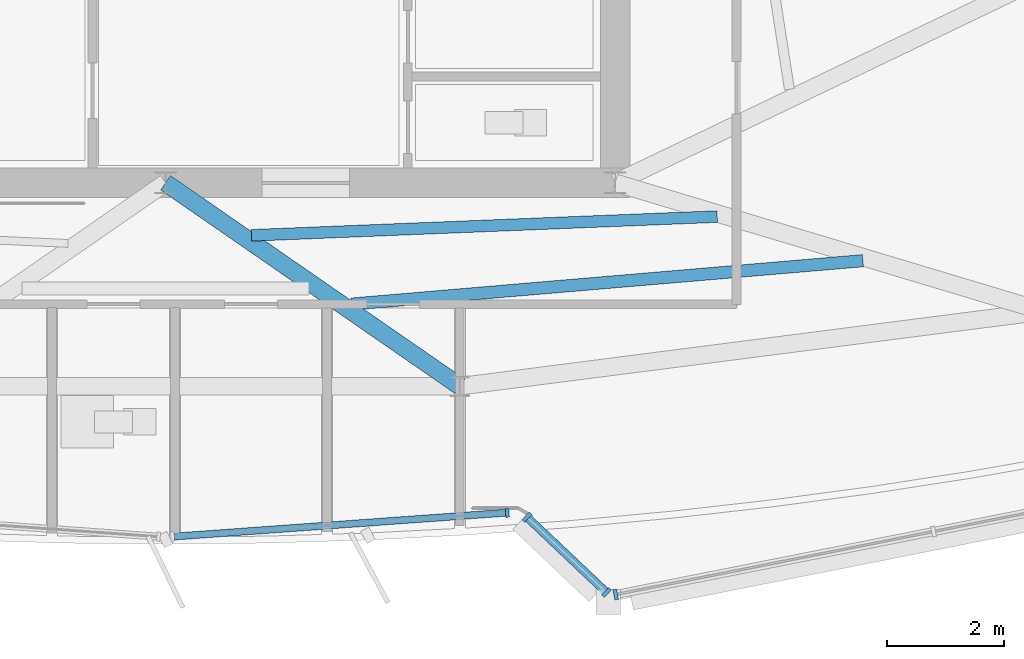
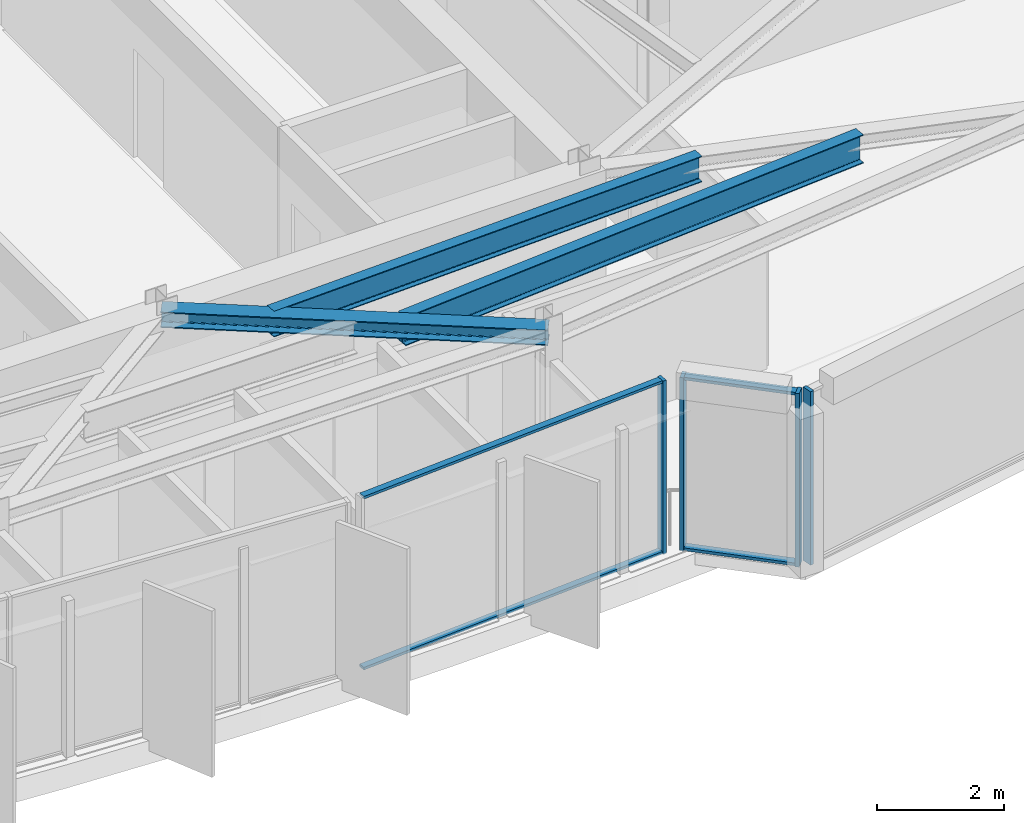
# One storey, part 4 of 14: 8 members, 3 beams, 3 elements without a shape of their own.
"""IFC4 building model written with IfcOpenShell, lengths in metres."""

import ifcopenshell
import ifcopenshell.guid

model = None  # the IFC model being written
_history = None  # IfcOwnerHistory: only IFC2X3 demands one
_inside = {}  # id of a spatial element -> (the spatial element, [elements in it])
_under = {}  # id of a project, library or spatial element -> (it, [spatial elements below it])
_declared = {}  # id of a project -> (the project, [libraries it declares])
_typed = {}  # id of a type object -> (the type object, [elements of that type])
_made_of = {}  # id of a material, layer set ... -> (it, [elements and type objects made of it])


def new_model(schema):
    """Start an empty IFC model of exactly this schema.

    Asked for "IFC4X3", IfcOpenShell would pick the latest addendum, in which some entities
    have other attributes; the version numbers below select the first issue.
    IFC2X3 requires an IfcOwnerHistory on every rooted entity: one is made here for all.
    """
    global model, _history
    if schema == "IFC4X3":
        model = ifcopenshell.file(schema_version=(4, 3, 0, 0))
    else:
        model = ifcopenshell.file(schema=schema)
    _inside.clear()
    _under.clear()
    _declared.clear()
    _typed.clear()
    _made_of.clear()
    _history = None
    if model.schema == "IFC2X3":
        org = make("IfcOrganization", Name="unknown")
        user = make(
            "IfcPersonAndOrganization",
            ThePerson=make("IfcPerson", FamilyName="unknown"),
            TheOrganization=org,
        )
        app = make(
            "IfcApplication",
            ApplicationDeveloper=org,
            Version="unknown",
            ApplicationFullName="unknown",
            ApplicationIdentifier="unknown",
        )
        _history = make(
            "IfcOwnerHistory",
            OwningUser=user,
            OwningApplication=app,
            ChangeAction="ADDED",
            CreationDate=0,
        )
    return model


def make(cls, **values):
    """One entity of the class cls with the attributes given. An attribute that is None is left unset."""
    return model.create_entity(
        cls, **{name: value for name, value in values.items() if value is not None}
    )


def rooted(cls, **values):
    """An entity with a GlobalId (a new one), such as an element, a storey or a relation."""
    return make(cls, GlobalId=ifcopenshell.guid.new(), OwnerHistory=_history, **values)


def si_unit(unit_type, name, prefix=None):
    """IfcSIUnit, for example si_unit("LENGTHUNIT", "METRE", prefix="MILLI")."""
    return make("IfcSIUnit", UnitType=unit_type, Prefix=prefix, Name=name)


def assignment(units):
    """IfcUnitAssignment: the units of a project."""
    return None if units is None else make("IfcUnitAssignment", Units=units)


def point(xyz):
    """IfcCartesianPoint."""
    return None if xyz is None else make("IfcCartesianPoint", Coordinates=xyz)


def direction(xyz):
    """IfcDirection."""
    return None if xyz is None else make("IfcDirection", DirectionRatios=xyz)


def frame(location, z_axis=None, x_axis=None):
    """IfcAxis2Placement3D, a coordinate frame: its origin and axes. An axis left out is left unset."""
    return make(
        "IfcAxis2Placement3D",
        Location=point(location),
        Axis=direction(z_axis),
        RefDirection=direction(x_axis),
    )


def frame_2d(location, x_axis=None):
    """IfcAxis2Placement2D, a coordinate frame in the plane: its origin and x axis."""
    return make(
        "IfcAxis2Placement2D", Location=point(location), RefDirection=direction(x_axis)
    )


def origin():
    """The frame at (0, 0, 0) with its axes left unset."""
    return frame((0.0, 0.0, 0.0))


def origin_2d():
    """The frame at (0, 0) in the plane with its x axis left unset."""
    return frame_2d((0.0, 0.0))


def place(relative_to, where):
    """IfcLocalPlacement: puts the frame where relative to a parent placement (None: the world)."""
    return make(
        "IfcLocalPlacement", PlacementRelTo=relative_to, RelativePlacement=where
    )


def context(
    kind, dimensions, precision=None, world=None, true_north=None, identifier=None
):
    """IfcGeometricRepresentationContext, for example the 3D "Model" context."""
    return make(
        "IfcGeometricRepresentationContext",
        ContextIdentifier=identifier,
        ContextType=kind,
        CoordinateSpaceDimension=dimensions,
        Precision=precision,
        WorldCoordinateSystem=world,
        TrueNorth=true_north,
    )


def subcontext(parent, identifier, kind, view, scale=None):
    """IfcGeometricRepresentationSubContext, for example "Body" below "Model"."""
    return make(
        "IfcGeometricRepresentationSubContext",
        ContextIdentifier=identifier,
        ContextType=kind,
        ParentContext=parent,
        TargetScale=scale,
        TargetView=view,
    )


def project(units=None, contexts=None):
    """IfcProject with its units and contexts."""
    return rooted(
        "IfcProject",
        Name="project",
        RepresentationContexts=contexts,
        UnitsInContext=assignment(units),
    )


def spatial(cls, under=None, at=None, **own):
    """A site, building, storey or space (cls), placed at a placement, below another one or the project."""
    s = rooted(cls, ObjectPlacement=at, **own)
    if under is not None:
        _under.setdefault(under.id(), (under, []))[1].append(s)
    return s


def profile(cls, at=None, kind="AREA", **sizes):
    """A parametric profile (cls). Its sizes go by their IFC names, for example OverallWidth=200.0."""
    return make(cls, ProfileType=kind, Position=at, **sizes)


def rectangle(**sizes):
    """IfcRectangleProfileDef."""
    return profile("IfcRectangleProfileDef", **sizes)


def i_section(**sizes):
    """IfcIShapeProfileDef."""
    return profile("IfcIShapeProfileDef", **sizes)


def extrude(swept, where, along, depth):
    """IfcExtrudedAreaSolid: the profile swept, set in the frame where, extruded along a direction by depth."""
    return make(
        "IfcExtrudedAreaSolid",
        SweptArea=swept,
        Position=where,
        ExtrudedDirection=direction(along),
        Depth=depth,
    )


def shape(context_of_items, identifier, shape_type, items):
    """IfcShapeRepresentation: the items that make up one representation, for example the "Body"."""
    return make(
        "IfcShapeRepresentation",
        ContextOfItems=context_of_items,
        RepresentationIdentifier=identifier,
        RepresentationType=shape_type,
        Items=items,
    )


def material(Name=None, Category=None):
    """IfcMaterial."""
    return make("IfcMaterial", Name=Name, Category=Category)


def material_profile(
    of_material, cross_section, Name=None, Category=None, Priority=None
):
    """IfcMaterialProfile: a cross section and its material."""
    return make(
        "IfcMaterialProfile",
        Name=Name,
        Material=of_material,
        Profile=cross_section,
        Priority=Priority,
        Category=Category,
    )


def profile_set(profiles, Name=None, composite=None):
    """IfcMaterialProfileSet."""
    return make(
        "IfcMaterialProfileSet",
        Name=Name,
        MaterialProfiles=profiles,
        CompositeProfile=composite,
    )


def made_of(thing, what):
    """Note that an element or type object is made of a material, layer set ...; save() writes the relation."""
    if what is not None:
        _made_of.setdefault(what.id(), (what, []))[1].append(thing)
    return thing


def type_object(cls, material=None, **own):
    """A type object (cls), such as IfcWallType, which elements share."""
    return made_of(rooted(cls, **own), material)


def element(
    cls,
    number,
    at=None,
    inside=None,
    cuts=None,
    type_object=None,
    material=None,
    context=None,
    identifier="Body",
    shape_type=None,
    held_by="IfcProductDefinitionShape",
    body=None,
    shapes=None,
    **own,
):
    """One element of the class cls, such as IfcWall. Its Tag is "e" and its number.

    at: its placement. inside: the storey or other place that contains it. cuts: it is an
    opening in that element (IfcRelVoidsElement). A single representation is given by context,
    identifier, shape_type and body (its items); several are given by shapes. held_by: the class
    of the entity that holds the representations. save() writes the other relations.
    """
    e = rooted(cls, Tag="e%d" % number, ObjectPlacement=at, **own)
    if body is not None:
        shapes = [shape(context, identifier, shape_type, body)]
    if shapes is not None:
        e.Representation = make(held_by, Representations=shapes)
    if inside is not None:
        _inside.setdefault(inside.id(), (inside, []))[1].append(e)
    if cuts is not None:
        rooted(
            "IfcRelVoidsElement", RelatingBuildingElement=cuts, RelatedOpeningElement=e
        )
    if type_object is not None:
        _typed.setdefault(type_object.id(), (type_object, []))[1].append(e)
    return made_of(e, material)


def aggregate(whole, parts):
    """IfcRelAggregates: a whole, such as a stair, and the parts it consists of."""
    return rooted("IfcRelAggregates", RelatingObject=whole, RelatedObjects=parts)


def save(model, path):
    """Write the relations noted so far, then the file.

    IfcRelAggregates (storeys below a building ...), IfcRelContainedInSpatialStructure (elements
    in a storey), IfcRelDefinesByType, IfcRelAssociatesMaterial and IfcRelDeclares: one each for
    every whole, place, type object, material and project.
    """
    for whole, parts in _under.values():
        aggregate(whole, parts)
    for where, things in _inside.values():
        rooted(
            "IfcRelContainedInSpatialStructure",
            RelatedElements=things,
            RelatingStructure=where,
        )
    for kind, things in _typed.values():
        rooted("IfcRelDefinesByType", RelatedObjects=things, RelatingType=kind)
    for what, things in _made_of.values():
        rooted("IfcRelAssociatesMaterial", RelatedObjects=things, RelatingMaterial=what)
    for by, libraries in _declared.values():
        rooted("IfcRelDeclares", RelatingContext=by, RelatedDefinitions=libraries)
    model.write(path)


model = new_model("IFC4")

# Units and contexts
model_context = context("Model", 3, precision=1e-05, world=origin(), true_north=direction((0.0, 1.0)))
body_context = subcontext(model_context, "Body", "Model", "MODEL_VIEW")
ifc_project = project(units=[si_unit("LENGTHUNIT", "METRE"), si_unit("AREAUNIT", "SQUARE_METRE"), si_unit("VOLUMEUNIT", "CUBIC_METRE"), si_unit("PLANEANGLEUNIT", "RADIAN"), si_unit("MASSUNIT", "GRAM", prefix="KILO")], contexts=[model_context])

# Site, building, storey
site_placement = place(None, origin())
site = spatial("IfcSite", under=ifc_project, at=site_placement, CompositionType="ELEMENT")
building_placement = place(site_placement, origin())
building = spatial("IfcBuilding", under=site, at=building_placement, Name="Savorim Split Tower", CompositionType="ELEMENT")
storey_placement = place(building_placement, frame((0.0, 0.0, 294.0)))
storey = spatial("IfcBuildingStorey", under=building, at=storey_placement, Name="L78", CompositionType="ELEMENT", Elevation=294.0)

# Beams
ifc_material_1 = material(Name="Steel S355", Category="steel")
ifc_material_profile_1 = material_profile(ifc_material_1, i_section(OverallWidth=0.199951171875, OverallDepth=0.5, WebThickness=0.01025390625, FlangeThickness=0.01611328125, FilletRadius=0.02099609375, at=origin_2d()), Name="IPE 500")
ifc_profile_set_1 = profile_set([ifc_material_profile_1], Name="Steel S355")
beam_type_1 = type_object("IfcBeamType", Name="BM-JST-IPE500", PredefinedType="JOIST", material=ifc_profile_set_1)
beam_1_placement = place(storey_placement, frame((1.47021484375, -10.2998046875, 3.090087890625), z_axis=(0.999191208449, 0.040211055181, 0.0), x_axis=(-0.040211055181, 0.999191208449, 0.0)))
element("IfcBeam", 1, at=beam_1_placement, inside=storey, type_object=beam_type_1, Name="L78 Secondary Floor Joist JS-05", PredefinedType="JOIST", context=body_context, shape_type="SweptSolid", body=[
    extrude(i_section(OverallWidth=0.199951171875, OverallDepth=0.5, WebThickness=0.01025390625, FlangeThickness=0.01611328125, FilletRadius=0.02099609375, at=origin_2d()), origin(), (0.0, 0.0, 1.0), 7.98388671875),
])
ifc_material_profile_2 = material_profile(ifc_material_1, i_section(OverallWidth=0.2099609375, OverallDepth=0.550048828125, WebThickness=0.010986328125, FlangeThickness=0.01708984375, FilletRadius=0.02392578125, at=origin_2d()), Name="IPE 550")
ifc_profile_set_2 = profile_set([ifc_material_profile_2], Name="Steel S355")
beam_type_2 = type_object("IfcBeamType", Name="BM-JST-IPE550", PredefinedType="JOIST", material=ifc_profile_set_2)
beam_2_placement = place(storey_placement, frame((3.18310546875, -11.4775390625, 3.06494140625), z_axis=(0.996420538137, 0.084534674417, 0.0), x_axis=(-0.084534674417, 0.996420538137, 0.0)))
element("IfcBeam", 2, at=beam_2_placement, inside=storey, type_object=beam_type_2, Name="L78 Secondary Floor Joist JS-04", PredefinedType="JOIST", context=body_context, shape_type="SweptSolid", body=[
    extrude(i_section(OverallWidth=0.2099609375, OverallDepth=0.550048828125, WebThickness=0.010986328125, FlangeThickness=0.01708984375, FilletRadius=0.02392578125, at=origin_2d()), origin(), (0.0, 0.0, 1.0), 8.791259765625),
])
ifc_material_profile_3 = material_profile(ifc_material_1, i_section(OverallWidth=0.300048828125, OverallDepth=0.300048828125, WebThickness=0.010986328125, FlangeThickness=0.01904296875, FilletRadius=0.027099609375, at=origin_2d()), Name="HEB 300")
ifc_profile_set_3 = profile_set([ifc_material_profile_3], Name="Steel S355")
beam_type_3 = type_object("IfcBeamType", Name="BM-PRI-HEB300", PredefinedType="BEAM", material=ifc_profile_set_3)
beam_3_placement = place(storey_placement, frame((5.039794921875, -12.885009765625, 3.18994140625), z_axis=(-0.82249616242, 0.568770659233, 0.0), x_axis=(-0.568770659233, -0.82249616242, 0.0)))
element("IfcBeam", 3, at=beam_3_placement, inside=storey, type_object=beam_type_3, Name="L78 Primary Floor Girder RG-03", PredefinedType="BEAM", context=body_context, shape_type="SweptSolid", body=[
    extrude(i_section(OverallWidth=0.300048828125, OverallDepth=0.300048828125, WebThickness=0.010986328125, FlangeThickness=0.01904296875, FilletRadius=0.027099609375, at=origin_2d()), origin(), (0.0, 0.0, 1.0), 6.12744140625),
])

# Curtain wall, member
ifc_material_2 = material(Name="Dark Ceramic-Fritted Insulated Glass", Category="glass")
curtain_wall_type_1 = type_object("IfcCurtainWallType", Name="CW-TWR-FRIT-B", PredefinedType="NOTDEFINED", material=ifc_material_2)
curtain_wall_1_placement = place(storey_placement, origin())
curtain_wall_1 = element("IfcCurtainWall", 4, at=curtain_wall_1_placement, inside=storey, type_object=curtain_wall_type_1, Name="L78 Curtain Wall CW-L78-SF3A", PredefinedType="NOTDEFINED")
ifc_material_3 = material(Name="Charcoal Anodised Aluminium", Category="aluminium")
ifc_material_profile_4 = material_profile(ifc_material_3, rectangle(XDim=0.159912109375, YDim=0.06005859375, at=origin_2d()), Name="ALU-M 160x60")
ifc_profile_set_4 = profile_set([ifc_material_profile_4], Name="Charcoal Anodised Aluminium")
member_type_1 = type_object("IfcMemberType", Name="CWM-160x60", PredefinedType="MULLION", material=ifc_profile_set_4)
member_1_placement = place(storey_placement, frame((5.8525390625, -15.048828125, 0.0), z_axis=(0.0, 0.0, 1.0), x_axis=(-0.071561606808, 0.997436181633, 0.0)))
member_1 = element("IfcMember", 5, at=member_1_placement, type_object=member_type_1, Name="CW-03 mullion 2", PredefinedType="MULLION", context=body_context, shape_type="SweptSolid", body=[
    extrude(rectangle(XDim=0.159912109375, YDim=0.06005859375, at=origin_2d()), origin(), (0.0, 0.0, 1.0), 3.340087890625),
])

curtain_wall_type_2 = type_object("IfcCurtainWallType", Name="CW-BAY-LOUNGE", PredefinedType="NOTDEFINED", material=ifc_material_2)
curtain_wall_2_placement = place(storey_placement, origin())
curtain_wall_2 = element("IfcCurtainWall", 6, at=curtain_wall_2_placement, inside=storey, type_object=curtain_wall_type_2, Name="L78 Curtain Wall CW-L78-BAYF", PredefinedType="NOTDEFINED")
ifc_material_profile_5 = material_profile(ifc_material_3, rectangle(XDim=0.179931640625, YDim=0.06494140625, at=origin_2d()), Name="ALU-M 180x65")
ifc_profile_set_5 = profile_set([ifc_material_profile_5], Name="Charcoal Anodised Aluminium")
member_type_2 = type_object("IfcMemberType", Name="CWM-180x65", PredefinedType="MULLION", material=ifc_profile_set_5)
member_2_placement = place(storey_placement, frame((7.708740234375, -16.45166015625, 0.0), z_axis=(0.0, 0.0, 1.0), x_axis=(-0.194484421737, 0.980905606927, 0.0)))
member_2 = element("IfcMember", 7, at=member_2_placement, type_object=member_type_2, Name="CW-04 mullion 1", PredefinedType="MULLION", context=body_context, shape_type="SweptSolid", body=[
    extrude(rectangle(XDim=0.179931640625, YDim=0.06494140625, at=origin_2d()), origin(), (0.0, 0.0, 1.0), 3.340087890625),
])
aggregate(curtain_wall_2, [member_2])

# Curtain wall, members
curtain_wall_3_placement = place(storey_placement, origin())
curtain_wall_3 = element("IfcCurtainWall", 8, at=curtain_wall_3_placement, inside=storey, type_object=curtain_wall_type_2, Name="L78 Curtain Wall CW-L78-BAYW", PredefinedType="NOTDEFINED")
member_3_placement = place(storey_placement, frame((6.190185546875, -15.126220703125, 0.0), z_axis=(0.0, 0.0, 1.0), x_axis=(0.687750367057, 0.725947265725, 0.0)))
member_3 = element("IfcMember", 9, at=member_3_placement, type_object=member_type_2, Name="CW-04 mullion 1", PredefinedType="MULLION", context=body_context, shape_type="SweptSolid", body=[
    extrude(rectangle(XDim=0.179931640625, YDim=0.06494140625, at=origin_2d()), origin(), (0.0, 0.0, 1.0), 3.340087890625),
])
member_4_placement = place(storey_placement, frame((7.55126953125, -16.415771484375, 0.0), z_axis=(0.0, 0.0, 1.0), x_axis=(0.687750367057, 0.725947265725, 0.0)))
member_4 = element("IfcMember", 10, at=member_4_placement, type_object=member_type_2, Name="CW-04 mullion 2", PredefinedType="MULLION", context=body_context, shape_type="SweptSolid", body=[
    extrude(rectangle(XDim=0.179931640625, YDim=0.06494140625, at=origin_2d()), origin(), (0.0, 0.0, 1.0), 3.340087890625),
])

# Member
ifc_material_profile_6 = material_profile(ifc_material_3, rectangle(XDim=0.1201171875, YDim=0.050048828125, at=origin_2d()), Name="ALU-T 120x50")
ifc_profile_set_6 = profile_set([ifc_material_profile_6], Name="Charcoal Anodised Aluminium")
member_type_3 = type_object("IfcMemberType", Name="CWT-120x50", PredefinedType="USERDEFINED", material=ifc_profile_set_6)
member_5_placement = place(storey_placement, frame((0.151123046875, -15.4580078125, 0.02490234375), z_axis=(0.997435326085, 0.071573530566, 0.0), x_axis=(-0.071573530566, 0.997435326085, 0.0)))
member_5 = element("IfcMember", 11, at=member_5_placement, type_object=member_type_3, Name="CW-03 transom 1.1", ObjectType="TRANSOM", PredefinedType="USERDEFINED", context=body_context, shape_type="SweptSolid", body=[
    extrude(rectangle(XDim=0.1201171875, YDim=0.050048828125, at=origin_2d()), origin(), (0.0, 0.0, 1.0), 5.686279296875),
])

member_6_placement = place(storey_placement, frame((0.151123046875, -15.4580078125, 3.31494140625), z_axis=(0.997435326085, 0.071573530566, 0.0), x_axis=(-0.071573530566, 0.997435326085, 0.0)))
member_6 = element("IfcMember", 12, at=member_6_placement, type_object=member_type_3, Name="CW-03 transom 1.2", ObjectType="TRANSOM", PredefinedType="USERDEFINED", context=body_context, shape_type="SweptSolid", body=[
    extrude(rectangle(XDim=0.1201171875, YDim=0.050048828125, at=origin_2d()), origin(), (0.0, 0.0, 1.0), 5.686279296875),
])

aggregate(curtain_wall_1, [member_1, member_5, member_6])

ifc_material_profile_7 = material_profile(ifc_material_3, rectangle(XDim=0.139892578125, YDim=0.054931640625, at=origin_2d()), Name="ALU-T 140x55")
ifc_profile_set_7 = profile_set([ifc_material_profile_7], Name="Charcoal Anodised Aluminium")
member_type_4 = type_object("IfcMemberType", Name="CWT-140x55", PredefinedType="USERDEFINED", material=ifc_profile_set_7)
member_7_placement = place(storey_placement, frame((6.213623046875, -15.148681640625, 0.027587890625), z_axis=(0.726002307445, -0.687692263723, 0.0), x_axis=(0.687692263723, 0.726002307445, 0.0)))
member_7 = element("IfcMember", 13, at=member_7_placement, type_object=member_type_4, Name="CW-04 transom 1.1", ObjectType="TRANSOM", PredefinedType="USERDEFINED", context=body_context, shape_type="SweptSolid", body=[
    extrude(rectangle(XDim=0.139892578125, YDim=0.054931640625, at=origin_2d()), origin(), (0.0, 0.0, 1.0), 1.809814453125),
])

member_8_placement = place(storey_placement, frame((6.213623046875, -15.148681640625, 3.3125), z_axis=(0.726002307445, -0.687692263723, 0.0), x_axis=(0.687692263723, 0.726002307445, 0.0)))
member_8 = element("IfcMember", 14, at=member_8_placement, type_object=member_type_4, Name="CW-04 transom 1.2", ObjectType="TRANSOM", PredefinedType="USERDEFINED", context=body_context, shape_type="SweptSolid", body=[
    extrude(rectangle(XDim=0.139892578125, YDim=0.054931640625, at=origin_2d()), origin(), (0.0, 0.0, 1.0), 1.809814453125),
])

aggregate(curtain_wall_3, [member_3, member_4, member_7, member_8])

save(model, "model.ifc")
